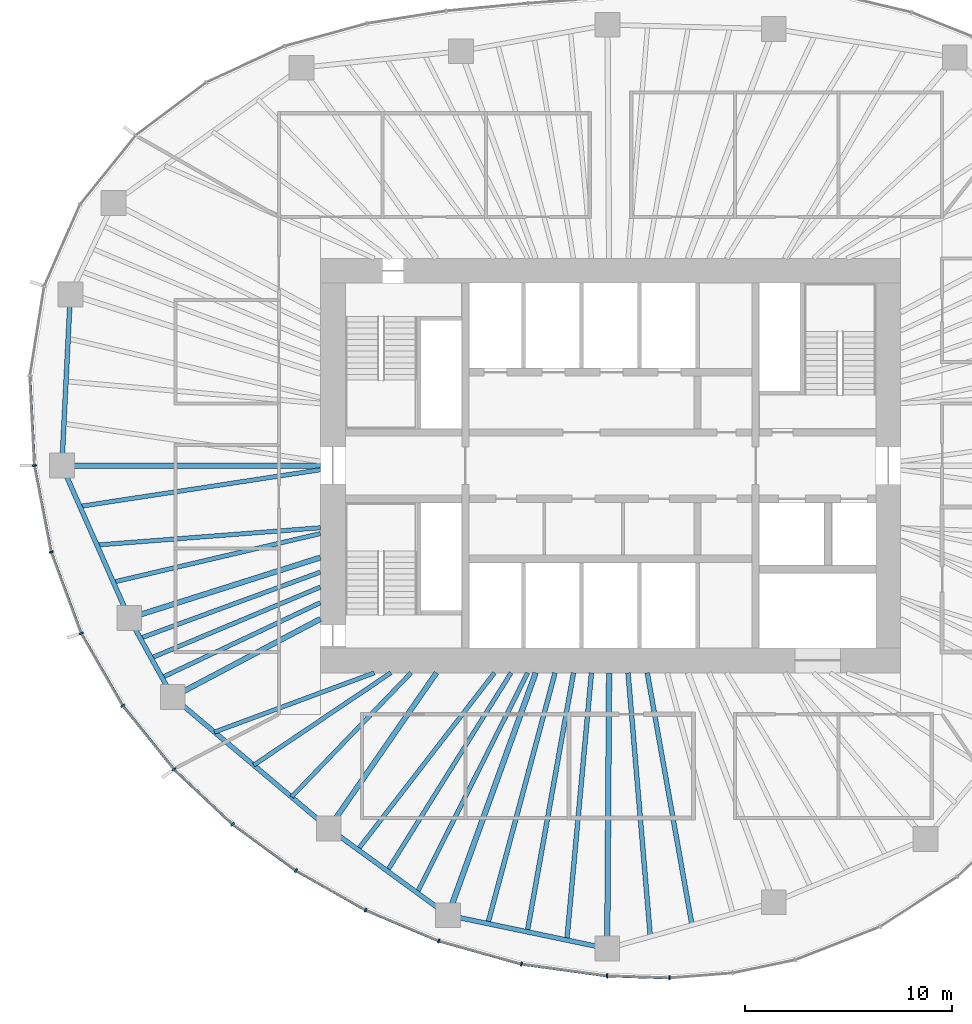
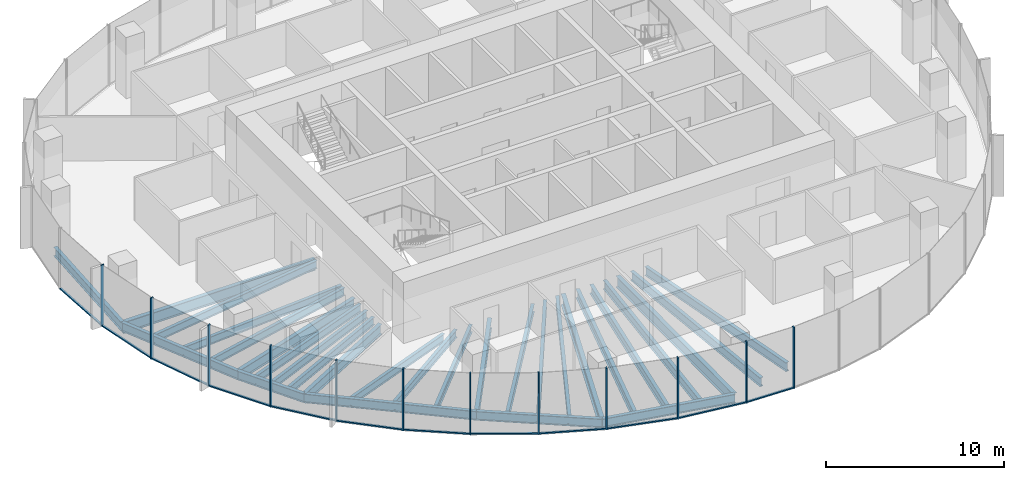
# One storey, part 2 of 12: 29 beams, 24 members, 7 elements without a shape of their own.
"""IFC4 building model written with IfcOpenShell, lengths in metres."""

from ifc_helpers import new_model, si_unit, direction, frame, origin, origin_2d, place, context, subcontext, project, spatial, rectangle, i_section, extrude, material, material_profile, profile_set, type_object, element, aggregate, save


model = new_model("IFC4")

# Units and contexts
model_context = context("Model", 3, precision=1e-05, world=origin(), true_north=direction((0.0, 1.0)))
body_context = subcontext(model_context, "Body", "Model", "MODEL_VIEW")
ifc_project = project(units=[si_unit("LENGTHUNIT", "METRE"), si_unit("AREAUNIT", "SQUARE_METRE"), si_unit("VOLUMEUNIT", "CUBIC_METRE"), si_unit("PLANEANGLEUNIT", "RADIAN"), si_unit("MASSUNIT", "GRAM", prefix="KILO")], contexts=[model_context])

# Site, building, storey
site_placement = place(None, origin())
site = spatial("IfcSite", under=ifc_project, at=site_placement, CompositionType="ELEMENT")
building_placement = place(site_placement, origin())
building = spatial("IfcBuilding", under=site, at=building_placement, Name="Ghaith Harvest Tower", CompositionType="ELEMENT")
storey_placement = place(building_placement, frame((0.0, 0.0, 249.39990234375)))
storey = spatial("IfcBuildingStorey", under=building, at=storey_placement, Name="L55", CompositionType="ELEMENT", Elevation=249.39990234375)

# Curtain wall, members
ifc_material_1 = material(Name="Black anodised aluminium and fritted glass", Category="aluminium")
curtain_wall_type = type_object("IfcCurtainWallType", Name="CW-H CURTAIN WALL", PredefinedType="NOTDEFINED", material=ifc_material_1)
curtain_wall_1_placement = place(storey_placement, origin())
curtain_wall_1 = element("IfcCurtainWall", 1, at=curtain_wall_1_placement, inside=storey, type_object=curtain_wall_type, Name="Curtain wall CW-H bay 11 L55", PredefinedType="NOTDEFINED")
ifc_material_2 = material(Name="Aluminium, black anodised", Category="aluminium")
ifc_material_profile_1 = material_profile(ifc_material_2, rectangle(XDim=0.080078125, YDim=0.199951171875, at=origin_2d()), Name="CW-H MULLION 80x200")
ifc_profile_set_1 = profile_set([ifc_material_profile_1], Name="Aluminium, black anodised")
member_type_1 = type_object("IfcMemberType", Name="CW-H MULLION 80x200", PredefinedType="MULLION", material=ifc_profile_set_1)
member_1_placement = place(storey_placement, frame((-27.794921875, 0.0, 0.0), z_axis=(0.0, 0.0, 1.0), x_axis=(0.12024996575, -0.992743645528, 0.0)))
member_1 = element("IfcMember", 2, at=member_1_placement, type_object=member_type_1, Name="CW-H mullion 1 bay 11 L55", PredefinedType="MULLION", context=body_context, shape_type="SweptSolid", body=[
    extrude(rectangle(XDim=0.080078125, YDim=0.199951171875, at=origin_2d()), origin(), (0.0, 0.0, 1.0), 4.2001953125),
])
member_2_placement = place(storey_placement, frame((-26.9853515625, -4.173828125, 0.0), z_axis=(0.0, 0.0, 1.0), x_axis=(0.268568830903, -0.963260495955, 0.0)))
member_2 = element("IfcMember", 3, at=member_2_placement, type_object=member_type_1, Name="CW-H mullion 2 bay 11 L55", PredefinedType="MULLION", context=body_context, shape_type="SweptSolid", body=[
    extrude(rectangle(XDim=0.080078125, YDim=0.199951171875, at=origin_2d()), origin(), (0.0, 0.0, 1.0), 4.2001953125),
])

curtain_wall_2_placement = place(storey_placement, origin())
curtain_wall_2 = element("IfcCurtainWall", 4, at=curtain_wall_2_placement, inside=storey, type_object=curtain_wall_type, Name="Curtain wall CW-H bay 12 L55", PredefinedType="NOTDEFINED")
member_3_placement = place(storey_placement, frame((-25.538330078125, -8.093505859375, 0.0), z_axis=(0.0, 0.0, 1.0), x_axis=(0.422308650185, -0.906452096903, 0.0)))
member_3 = element("IfcMember", 5, at=member_3_placement, type_object=member_type_1, Name="CW-H mullion 1 bay 12 L55", PredefinedType="MULLION", context=body_context, shape_type="SweptSolid", body=[
    extrude(rectangle(XDim=0.080078125, YDim=0.199951171875, at=origin_2d()), origin(), (0.0, 0.0, 1.0), 4.2001953125),
])
member_4_placement = place(storey_placement, frame((-23.533203125, -11.58349609375, 0.0), z_axis=(0.0, 0.0, 1.0), x_axis=(0.563616546013, -0.826036554312, 0.0)))
member_4 = element("IfcMember", 6, at=member_4_placement, type_object=member_type_1, Name="CW-H mullion 2 bay 12 L55", PredefinedType="MULLION", context=body_context, shape_type="SweptSolid", body=[
    extrude(rectangle(XDim=0.080078125, YDim=0.199951171875, at=origin_2d()), origin(), (0.0, 0.0, 1.0), 4.2001953125),
])

curtain_wall_3_placement = place(storey_placement, origin())
curtain_wall_3 = element("IfcCurtainWall", 7, at=curtain_wall_3_placement, inside=storey, type_object=curtain_wall_type, Name="Curtain wall CW-H bay 13 L55", PredefinedType="NOTDEFINED")
member_5_placement = place(storey_placement, frame((-21.0615234375, -14.65478515625, 0.0), z_axis=(0.0, 0.0, 1.0), x_axis=(0.679181589754, -0.733970277422, 0.0)))
member_5 = element("IfcMember", 8, at=member_5_placement, type_object=member_type_1, Name="CW-H mullion 1 bay 13 L55", PredefinedType="MULLION", context=body_context, shape_type="SweptSolid", body=[
    extrude(rectangle(XDim=0.080078125, YDim=0.199951171875, at=origin_2d()), origin(), (0.0, 0.0, 1.0), 4.2001953125),
])
member_6_placement = place(storey_placement, frame((-18.238037109375, -17.30615234375, 0.0), z_axis=(0.0, 0.0, 1.0), x_axis=(0.769216709506, -0.638987991919, 0.0)))
member_6 = element("IfcMember", 9, at=member_6_placement, type_object=member_type_1, Name="CW-H mullion 2 bay 13 L55", PredefinedType="MULLION", context=body_context, shape_type="SweptSolid", body=[
    extrude(rectangle(XDim=0.080078125, YDim=0.199951171875, at=origin_2d()), origin(), (0.0, 0.0, 1.0), 4.2001953125),
])

curtain_wall_4_placement = place(storey_placement, origin())
curtain_wall_4 = element("IfcCurtainWall", 10, at=curtain_wall_4_placement, inside=storey, type_object=curtain_wall_type, Name="Curtain wall CW-H bay 14 L55", PredefinedType="NOTDEFINED")
member_7_placement = place(storey_placement, frame((-15.177490234375, -19.542724609375, 0.0), z_axis=(0.0, 0.0, 1.0), x_axis=(0.840233591157, -0.5422245958, 0.0)))
member_7 = element("IfcMember", 11, at=member_7_placement, type_object=member_type_1, Name="CW-H mullion 1 bay 14 L55", PredefinedType="MULLION", context=body_context, shape_type="SweptSolid", body=[
    extrude(rectangle(XDim=0.080078125, YDim=0.199951171875, at=origin_2d()), origin(), (0.0, 0.0, 1.0), 4.2001953125),
])
member_8_placement = place(storey_placement, frame((-11.815185546875, -21.45068359375, 0.0), z_axis=(0.0, 0.0, 1.0), x_axis=(0.896852966189, -0.442328788389, 0.0)))
member_8 = element("IfcMember", 12, at=member_8_placement, type_object=member_type_1, Name="CW-H mullion 2 bay 14 L55", PredefinedType="MULLION", context=body_context, shape_type="SweptSolid", body=[
    extrude(rectangle(XDim=0.080078125, YDim=0.199951171875, at=origin_2d()), origin(), (0.0, 0.0, 1.0), 4.2001953125),
])

curtain_wall_5_placement = place(storey_placement, origin())
curtain_wall_5 = element("IfcCurtainWall", 13, at=curtain_wall_5_placement, inside=storey, type_object=curtain_wall_type, Name="Curtain wall CW-H bay 15 L55", PredefinedType="NOTDEFINED")
member_9_placement = place(storey_placement, frame((-8.285888671875, -22.941650390625, 0.0), z_axis=(0.0, 0.0, 1.0), x_axis=(0.944906041636, -0.327341675439, 0.0)))
member_9 = element("IfcMember", 14, at=member_9_placement, type_object=member_type_1, Name="CW-H mullion 1 bay 15 L55", PredefinedType="MULLION", context=body_context, shape_type="SweptSolid", body=[
    extrude(rectangle(XDim=0.080078125, YDim=0.199951171875, at=origin_2d()), origin(), (0.0, 0.0, 1.0), 4.2001953125),
])
member_10_placement = place(storey_placement, frame((-4.2958984375, -24.0556640625, 0.0), z_axis=(0.0, 0.0, 1.0), x_axis=(0.979161388311, -0.203083666601, 0.0)))
member_10 = element("IfcMember", 15, at=member_10_placement, type_object=member_type_1, Name="CW-H mullion 2 bay 15 L55", PredefinedType="MULLION", context=body_context, shape_type="SweptSolid", body=[
    extrude(rectangle(XDim=0.080078125, YDim=0.199951171875, at=origin_2d()), origin(), (0.0, 0.0, 1.0), 4.2001953125),
])

curtain_wall_6_placement = place(storey_placement, origin())
curtain_wall_6 = element("IfcCurtainWall", 16, at=curtain_wall_6_placement, inside=storey, type_object=curtain_wall_type, Name="Curtain wall CW-H bay 16 L55", PredefinedType="NOTDEFINED")
member_11_placement = place(storey_placement, frame((-0.16845703125, -24.625244140625, 0.0), z_axis=(0.0, 0.0, 1.0), x_axis=(0.99568459113, -0.092801912617, 0.0)))
member_11 = element("IfcMember", 17, at=member_11_placement, type_object=member_type_1, Name="CW-H mullion 1 bay 16 L55", PredefinedType="MULLION", context=body_context, shape_type="SweptSolid", body=[
    extrude(rectangle(XDim=0.080078125, YDim=0.199951171875, at=origin_2d()), origin(), (0.0, 0.0, 1.0), 4.2001953125),
])
member_12_placement = place(storey_placement, frame((2.84765625, -24.721435546875, 0.0), z_axis=(0.0, 0.0, 1.0), x_axis=(0.999724413906, 0.02347543907, 0.0)))
member_12 = element("IfcMember", 18, at=member_12_placement, type_object=member_type_1, Name="CW-H mullion 2 bay 16 L55", PredefinedType="MULLION", context=body_context, shape_type="SweptSolid", body=[
    extrude(rectangle(XDim=0.080078125, YDim=0.199951171875, at=origin_2d()), origin(), (0.0, 0.0, 1.0), 4.2001953125),
])

# Curtain wall, member
curtain_wall_7_placement = place(storey_placement, origin())
curtain_wall_7 = element("IfcCurtainWall", 19, at=curtain_wall_7_placement, inside=storey, type_object=curtain_wall_type, Name="Curtain wall CW-H bay 10 L55", PredefinedType="NOTDEFINED")
ifc_material_3 = material(Name="Aluminium, black anodised", Category="aluminium")
ifc_material_profile_2 = material_profile(ifc_material_3, rectangle(XDim=0.1298828125, YDim=0.080078125, at=origin_2d()), Name="CW-H TRANSOM 130x80")
ifc_profile_set_2 = profile_set([ifc_material_profile_2], Name="Aluminium, black anodised")
member_type_2 = type_object("IfcMemberType", Name="CW-H TRANSOM 130x80", PredefinedType="USERDEFINED", material=ifc_profile_set_2)
member_13_placement = place(storey_placement, frame((-28.013671875, 4.293212890625, 0.0400390625), z_axis=(0.05084969311, -0.998706317548, 0.0), x_axis=(0.998706317548, 0.05084969311, 0.0)))
member_13 = element("IfcMember", 20, at=member_13_placement, type_object=member_type_2, Name="CW-H transom 2 bay 10 L55", ObjectType="TRANSOM", PredefinedType="USERDEFINED", context=body_context, shape_type="SweptSolid", body=[
    extrude(rectangle(XDim=0.1298828125, YDim=0.080078125, at=origin_2d()), origin(), (0.0, 0.0, 1.0), 4.2587890625),
])
aggregate(curtain_wall_7, [member_13])

# Member
member_14_placement = place(storey_placement, frame((-27.787353515625, -0.039306640625, 0.0400390625), z_axis=(0.190440428338, -0.981698753821, 0.0), x_axis=(0.981698753821, 0.190440428338, 0.0)))
member_14 = element("IfcMember", 21, at=member_14_placement, type_object=member_type_2, Name="CW-H transom 1 bay 11 L55", ObjectType="TRANSOM", PredefinedType="USERDEFINED", context=body_context, shape_type="SweptSolid", body=[
    extrude(rectangle(XDim=0.1298828125, YDim=0.080078125, at=origin_2d()), origin(), (0.0, 0.0, 1.0), 4.171630859375),
])

member_15_placement = place(storey_placement, frame((-26.971435546875, -4.21142578125, 0.0400390625), z_axis=(0.346287782987, -0.93812833416, 0.0), x_axis=(0.93812833416, 0.346287782987, 0.0)))
member_15 = element("IfcMember", 22, at=member_15_placement, type_object=member_type_2, Name="CW-H transom 2 bay 11 L55", ObjectType="TRANSOM", PredefinedType="USERDEFINED", context=body_context, shape_type="SweptSolid", body=[
    extrude(rectangle(XDim=0.1298828125, YDim=0.080078125, at=origin_2d()), origin(), (0.0, 0.0, 1.0), 4.098388671875),
])

aggregate(curtain_wall_1, [member_1, member_14, member_2, member_15])

member_16_placement = place(storey_placement, frame((-25.5185546875, -8.128173828125, 0.0400390625), z_axis=(0.498176929488, -0.86707539864, 0.0), x_axis=(0.86707539864, 0.498176929488, 0.0)))
member_16 = element("IfcMember", 23, at=member_16_placement, type_object=member_type_2, Name="CW-H transom 1 bay 12 L55", ObjectType="TRANSOM", PredefinedType="USERDEFINED", context=body_context, shape_type="SweptSolid", body=[
    extrude(rectangle(XDim=0.1298828125, YDim=0.080078125, at=origin_2d()), origin(), (0.0, 0.0, 1.0), 3.945068359375),
])

member_17_placement = place(storey_placement, frame((-23.508056640625, -11.61474609375, 0.0400390625), z_axis=(0.626958878139, -0.779052350694, 0.0), x_axis=(0.779052350694, 0.626958878139, 0.0)))
member_17 = element("IfcMember", 24, at=member_17_placement, type_object=member_type_2, Name="CW-H transom 2 bay 12 L55", ObjectType="TRANSOM", PredefinedType="USERDEFINED", context=body_context, shape_type="SweptSolid", body=[
    extrude(rectangle(XDim=0.1298828125, YDim=0.080078125, at=origin_2d()), origin(), (0.0, 0.0, 1.0), 3.862060546875),
])

aggregate(curtain_wall_2, [member_3, member_16, member_4, member_17])

member_18_placement = place(storey_placement, frame((-21.032470703125, -14.68212890625, 0.0400390625), z_axis=(0.729025183709, -0.684486874613, 0.0), x_axis=(0.684486874613, 0.729025183709, 0.0)))
member_18 = element("IfcMember", 25, at=member_18_placement, type_object=member_type_2, Name="CW-H transom 1 bay 13 L55", ObjectType="TRANSOM", PredefinedType="USERDEFINED", context=body_context, shape_type="SweptSolid", body=[
    extrude(rectangle(XDim=0.1298828125, YDim=0.080078125, at=origin_2d()), origin(), (0.0, 0.0, 1.0), 3.793212890625),
])

member_19_placement = place(storey_placement, frame((-18.20556640625, -17.32958984375, 0.0400390625), z_axis=(0.807368217185, -0.590047931849, 0.0), x_axis=(0.590047931849, 0.807368217185, 0.0)))
member_19 = element("IfcMember", 26, at=member_19_placement, type_object=member_type_2, Name="CW-H transom 2 bay 13 L55", ObjectType="TRANSOM", PredefinedType="USERDEFINED", context=body_context, shape_type="SweptSolid", body=[
    extrude(rectangle(XDim=0.1298828125, YDim=0.080078125, at=origin_2d()), origin(), (0.0, 0.0, 1.0), 3.710693359375),
])

aggregate(curtain_wall_3, [member_5, member_18, member_6, member_19])

member_20_placement = place(storey_placement, frame((-15.142822265625, -19.5625, 0.0400390625), z_axis=(0.869735291487, -0.493518513068, 0.0), x_axis=(0.493518513068, 0.869735291487, 0.0)))
member_20 = element("IfcMember", 27, at=member_20_placement, type_object=member_type_2, Name="CW-H transom 1 bay 14 L55", ObjectType="TRANSOM", PredefinedType="USERDEFINED", context=body_context, shape_type="SweptSolid", body=[
    extrude(rectangle(XDim=0.1298828125, YDim=0.080078125, at=origin_2d()), origin(), (0.0, 0.0, 1.0), 3.785888671875),
])

member_21_placement = place(storey_placement, frame((-11.7783203125, -21.46630859375, 0.0400390625), z_axis=(0.921182691948, -0.38913037411, 0.0), x_axis=(0.38913037411, 0.921182691948, 0.0)))
member_21 = element("IfcMember", 28, at=member_21_placement, type_object=member_type_2, Name="CW-H transom 2 bay 14 L55", ObjectType="TRANSOM", PredefinedType="USERDEFINED", context=body_context, shape_type="SweptSolid", body=[
    extrude(rectangle(XDim=0.1298828125, YDim=0.080078125, at=origin_2d()), origin(), (0.0, 0.0, 1.0), 3.751220703125),
])

aggregate(curtain_wall_4, [member_7, member_20, member_8, member_21])

member_22_placement = place(storey_placement, frame((-8.24755859375, -22.952392578125, 0.0400390625), z_axis=(0.963164092269, -0.268914356932, 0.0), x_axis=(0.268914356932, 0.963164092269, 0.0)))
member_22 = element("IfcMember", 29, at=member_22_placement, type_object=member_type_2, Name="CW-H transom 1 bay 15 L55", ObjectType="TRANSOM", PredefinedType="USERDEFINED", context=body_context, shape_type="SweptSolid", body=[
    extrude(rectangle(XDim=0.1298828125, YDim=0.080078125, at=origin_2d()), origin(), (0.0, 0.0, 1.0), 4.062744140625),
])

member_23_placement = place(storey_placement, frame((-4.25634765625, -24.06103515625, 0.0400390625), z_axis=(0.990605228149, -0.136752630555, 0.0), x_axis=(0.136752630555, 0.990605228149, 0.0)))
member_23 = element("IfcMember", 30, at=member_23_placement, type_object=member_type_2, Name="CW-H transom 2 bay 15 L55", ObjectType="TRANSOM", PredefinedType="USERDEFINED", context=body_context, shape_type="SweptSolid", body=[
    extrude(rectangle(XDim=0.1298828125, YDim=0.080078125, at=origin_2d()), origin(), (0.0, 0.0, 1.0), 4.08642578125),
])

aggregate(curtain_wall_5, [member_9, member_22, member_10, member_23])

member_24_placement = place(storey_placement, frame((-0.128662109375, -24.62646484375, 0.0400390625), z_axis=(0.999490770233, -0.031909249731, 0.0), x_axis=(0.031909249731, 0.999490770233, 0.0)))
member_24 = element("IfcMember", 31, at=member_24_placement, type_object=member_type_2, Name="CW-H transom 1 bay 16 L55", ObjectType="TRANSOM", PredefinedType="USERDEFINED", context=body_context, shape_type="SweptSolid", body=[
    extrude(rectangle(XDim=0.1298828125, YDim=0.080078125, at=origin_2d()), origin(), (0.0, 0.0, 1.0), 2.93798828125),
])

aggregate(curtain_wall_6, [member_11, member_24, member_12])

# Beams
ifc_material_4 = material(Name="Steel ASTM A992 Grade 50", Category="steel")
ifc_material_profile_3 = material_profile(ifc_material_4, i_section(OverallWidth=0.22900390625, OverallDepth=0.612060546875, WebThickness=0.011962890625, FlangeThickness=0.01953125, at=origin_2d()), Name="W610X125")
ifc_profile_set_3 = profile_set([ifc_material_profile_3], Name="Steel ASTM A992 Grade 50")
beam_type_1 = type_object("IfcBeamType", Name="E610-125 W610X125", PredefinedType="SPANDREL", material=ifc_profile_set_3)
beam_1_placement = place(storey_placement, frame((-26.06689453125, 8.260986328125, -0.475830078125), z_axis=(-0.049353148492, -0.998781390863, 0.0), x_axis=(0.998781390863, -0.049353148492, 0.0)))
element("IfcBeam", 32, at=beam_1_placement, inside=storey, type_object=beam_type_1, Name="Edge beam E10 L55", PredefinedType="SPANDREL", context=body_context, shape_type="SweptSolid", body=[
    extrude(i_section(OverallWidth=0.22900390625, OverallDepth=0.612060546875, WebThickness=0.011962890625, FlangeThickness=0.01953125, at=origin_2d()), origin(), (0.0, 0.0, 1.0), 8.27099609375),
])
beam_2_placement = place(storey_placement, frame((-26.47509765625, 0.0, -0.475830078125), z_axis=(0.404042817399, -0.914740073304, 0.0), x_axis=(0.914740073304, 0.404042817399, 0.0)))
element("IfcBeam", 33, at=beam_2_placement, inside=storey, type_object=beam_type_1, Name="Edge beam E11 L55", PredefinedType="SPANDREL", context=body_context, shape_type="SweptSolid", body=[
    extrude(i_section(OverallWidth=0.22900390625, OverallDepth=0.612060546875, WebThickness=0.011962890625, FlangeThickness=0.01953125, at=origin_2d()), origin(), (0.0, 0.0, 1.0), 8.046142578125),
])
beam_3_placement = place(storey_placement, frame((-23.22412109375, -7.360107421875, -0.475830078125), z_axis=(0.482955575345, -0.875644855089, 0.0), x_axis=(0.875644855089, 0.482955575345, 0.0)))
element("IfcBeam", 34, at=beam_3_placement, inside=storey, type_object=beam_type_1, Name="Edge beam E12 L55", PredefinedType="SPANDREL", context=body_context, shape_type="SweptSolid", body=[
    extrude(i_section(OverallWidth=0.22900390625, OverallDepth=0.612060546875, WebThickness=0.011962890625, FlangeThickness=0.01953125, at=origin_2d()), origin(), (0.0, 0.0, 1.0), 4.346435546875),
])
beam_4_placement = place(storey_placement, frame((-21.125, -11.166015625, -0.475830078125), z_axis=(0.765021818761, -0.64400436087, 0.0), x_axis=(0.64400436087, 0.765021818761, 0.0)))
element("IfcBeam", 35, at=beam_4_placement, inside=storey, type_object=beam_type_1, Name="Edge beam E13 L55", PredefinedType="SPANDREL", context=body_context, shape_type="SweptSolid", body=[
    extrude(i_section(OverallWidth=0.22900390625, OverallDepth=0.612060546875, WebThickness=0.011962890625, FlangeThickness=0.01953125, at=origin_2d()), origin(), (0.0, 0.0, 1.0), 9.8427734375),
])
beam_5_placement = place(storey_placement, frame((-13.594970703125, -17.5048828125, -0.475830078125), z_axis=(0.808194782503, -0.588915268553, 0.0), x_axis=(0.588915268553, 0.808194782503, 0.0)))
element("IfcBeam", 36, at=beam_5_placement, inside=storey, type_object=beam_type_1, Name="Edge beam E14 L55", PredefinedType="SPANDREL", context=body_context, shape_type="SweptSolid", body=[
    extrude(i_section(OverallWidth=0.22900390625, OverallDepth=0.612060546875, WebThickness=0.011962890625, FlangeThickness=0.01953125, at=origin_2d()), origin(), (0.0, 0.0, 1.0), 7.123291015625),
])
beam_6_placement = place(storey_placement, frame((-7.837890625, -21.699951171875, -0.475830078125), z_axis=(0.978847910797, -0.20458926543, 0.0), x_axis=(0.20458926543, 0.978847910797, 0.0)))
element("IfcBeam", 37, at=beam_6_placement, inside=storey, type_object=beam_type_1, Name="Edge beam E15 L55", PredefinedType="SPANDREL", context=body_context, shape_type="SweptSolid", body=[
    extrude(i_section(OverallWidth=0.22900390625, OverallDepth=0.612060546875, WebThickness=0.011962890625, FlangeThickness=0.01953125, at=origin_2d()), origin(), (0.0, 0.0, 1.0), 7.844970703125),
])
ifc_material_5 = material(Name="Steel ASTM A992 Grade 50", Category="steel")
ifc_material_profile_4 = material_profile(ifc_material_5, i_section(OverallWidth=0.256103515625, OverallDepth=0.693115234375, WebThickness=0.014404296875, FlangeThickness=0.023681640625, at=origin_2d()), Name="W690X170")
ifc_profile_set_4 = profile_set([ifc_material_profile_4], Name="Steel ASTM A992 Grade 50")
beam_type_2 = type_object("IfcBeamType", Name="G690-170 W690X170", PredefinedType="BEAM", material=ifc_profile_set_4)
beam_7_placement = place(storey_placement, frame((-14.0, -4.43701171875, -0.516357421875), z_axis=(-0.953279028151, -0.302091202267, 0.0), x_axis=(0.302091202267, -0.953279028151, 0.0)))
element("IfcBeam", 38, at=beam_7_placement, inside=storey, type_object=beam_type_2, Name="Radial girder G12 L55", PredefinedType="BEAM", context=body_context, shape_type="SweptSolid", body=[
    extrude(i_section(OverallWidth=0.256103515625, OverallDepth=0.693115234375, WebThickness=0.014404296875, FlangeThickness=0.023681640625, at=origin_2d()), origin(), (0.0, 0.0, 1.0), 9.67626953125),
])
beam_8_placement = place(storey_placement, frame((-14.0, -7.39990234375, -0.516357421875), z_axis=(-0.88409279474, -0.46731138472, 0.0), x_axis=(0.46731138472, -0.88409279474, 0.0)))
element("IfcBeam", 39, at=beam_8_placement, inside=storey, type_object=beam_type_2, Name="Radial girder G13 L55", PredefinedType="BEAM", context=body_context, shape_type="SweptSolid", body=[
    extrude(i_section(OverallWidth=0.256103515625, OverallDepth=0.693115234375, WebThickness=0.014404296875, FlangeThickness=0.023681640625, at=origin_2d()), origin(), (0.0, 0.0, 1.0), 8.05908203125),
])
beam_9_placement = place(storey_placement, frame((-8.39990234375, -10.0, -0.516357421875), z_axis=(-0.569164078909, -0.822223966617, 0.0), x_axis=(0.822223966617, -0.569164078909, 0.0)))
element("IfcBeam", 40, at=beam_9_placement, inside=storey, type_object=beam_type_2, Name="Radial girder G14 L55", PredefinedType="BEAM", context=body_context, shape_type="SweptSolid", body=[
    extrude(i_section(OverallWidth=0.256103515625, OverallDepth=0.693115234375, WebThickness=0.014404296875, FlangeThickness=0.023681640625, at=origin_2d()), origin(), (0.0, 0.0, 1.0), 9.12744140625),
])
ifc_material_6 = material(Name="Steel ASTM A992 Grade 50", Category="steel")
ifc_material_profile_5 = material_profile(ifc_material_6, i_section(OverallWidth=0.26806640625, OverallDepth=0.77001953125, WebThickness=0.015625, FlangeThickness=0.025390625, at=origin_2d()), Name="W760X196")
ifc_profile_set_5 = profile_set([ifc_material_profile_5], Name="Steel ASTM A992 Grade 50")
beam_type_3 = type_object("IfcBeamType", Name="G760-196 W760X196", PredefinedType="BEAM", material=ifc_profile_set_5)
beam_10_placement = place(storey_placement, frame((-14.0, 0.0, -0.554931640625), z_axis=(-1.0, 0.0, 0.0), x_axis=(0.0, -1.0, 0.0)))
element("IfcBeam", 41, at=beam_10_placement, inside=storey, type_object=beam_type_3, Name="Radial girder G11 L55", PredefinedType="BEAM", context=body_context, shape_type="SweptSolid", body=[
    extrude(i_section(OverallWidth=0.26806640625, OverallDepth=0.77001953125, WebThickness=0.015625, FlangeThickness=0.025390625, at=origin_2d()), origin(), (0.0, 0.0, 1.0), 12.47509765625),
])
beam_11_placement = place(storey_placement, frame((-3.61181640625, -10.0, -0.554931640625), z_axis=(-0.339722108335, -0.940525857756, 0.0), x_axis=(0.940525857756, -0.339722108335, 0.0)))
element("IfcBeam", 42, at=beam_11_placement, inside=storey, type_object=beam_type_3, Name="Radial girder G15 L55", PredefinedType="BEAM", context=body_context, shape_type="SweptSolid", body=[
    extrude(i_section(OverallWidth=0.26806640625, OverallDepth=0.77001953125, WebThickness=0.015625, FlangeThickness=0.025390625, at=origin_2d()), origin(), (0.0, 0.0, 1.0), 12.439697265625),
])
beam_12_placement = place(storey_placement, frame((-0.068359375, -10.0, -0.554931640625), z_axis=(-0.00680755644, -0.999976828319, 0.0), x_axis=(0.999976828319, -0.00680755644, 0.0)))
element("IfcBeam", 43, at=beam_12_placement, inside=storey, type_object=beam_type_3, Name="Radial girder G16 L55", PredefinedType="BEAM", context=body_context, shape_type="SweptSolid", body=[
    extrude(i_section(OverallWidth=0.26806640625, OverallDepth=0.77001953125, WebThickness=0.015625, FlangeThickness=0.025390625, at=origin_2d()), origin(), (0.0, 0.0, 1.0), 13.30517578125),
])
ifc_material_7 = material(Name="Steel ASTM A992 Grade 50", Category="steel")
ifc_material_profile_6 = material_profile(ifc_material_7, i_section(OverallWidth=0.2109375, OverallDepth=0.5390625, WebThickness=0.01171875, FlangeThickness=0.018798828125, at=origin_2d()), Name="W530X109")
ifc_profile_set_6 = profile_set([ifc_material_profile_6], Name="Steel ASTM A992 Grade 50")
beam_type_4 = type_object("IfcBeamType", Name="J530-109 W530X109", PredefinedType="JOIST", material=ifc_profile_set_6)
beam_13_placement = place(storey_placement, frame((-14.0, -0.199951171875, -0.439453125), z_axis=(-0.988587077715, -0.150650555178, 0.0), x_axis=(0.150650555178, -0.988587077715, 0.0)))
element("IfcBeam", 44, at=beam_13_placement, inside=storey, type_object=beam_type_4, Name="Joist J11.1 L55", PredefinedType="JOIST", context=body_context, shape_type="SweptSolid", body=[
    extrude(i_section(OverallWidth=0.2109375, OverallDepth=0.5390625, WebThickness=0.01171875, FlangeThickness=0.018798828125, at=origin_2d()), origin(), (0.0, 0.0, 1.0), 11.739501953125),
])
beam_14_placement = place(storey_placement, frame((-14.0, -3.0, -0.439453125), z_axis=(-0.997028799301, -0.077029691443, 0.0), x_axis=(0.077029691443, -0.997028799301, 0.0)))
element("IfcBeam", 45, at=beam_14_placement, inside=storey, type_object=beam_type_4, Name="Joist J11.2 L55", PredefinedType="JOIST", context=body_context, shape_type="SweptSolid", body=[
    extrude(i_section(OverallWidth=0.2109375, OverallDepth=0.5390625, WebThickness=0.01171875, FlangeThickness=0.018798828125, at=origin_2d()), origin(), (0.0, 0.0, 1.0), 10.814208984375),
])
beam_15_placement = place(storey_placement, frame((-14.0, -3.280517578125, -0.439453125), z_axis=(-0.97362176086, -0.22816806696, 0.0), x_axis=(0.22816806696, -0.97362176086, 0.0)))
element("IfcBeam", 46, at=beam_15_placement, inside=storey, type_object=beam_type_4, Name="Joist J11.3 L55", PredefinedType="JOIST", context=body_context, shape_type="SweptSolid", body=[
    extrude(i_section(OverallWidth=0.2109375, OverallDepth=0.5390625, WebThickness=0.01171875, FlangeThickness=0.018798828125, at=origin_2d()), origin(), (0.0, 0.0, 1.0), 10.262451171875),
])
beam_16_placement = place(storey_placement, frame((-5.60009765625, -10.0, -0.439453125), z_axis=(-0.611412687895, -0.791311901264, 0.0), x_axis=(0.791311901264, -0.611412687895, 0.0)))
element("IfcBeam", 47, at=beam_16_placement, inside=storey, type_object=beam_type_4, Name="Joist J14.1 L55", PredefinedType="JOIST", context=body_context, shape_type="SweptSolid", body=[
    extrude(i_section(OverallWidth=0.2109375, OverallDepth=0.5390625, WebThickness=0.01171875, FlangeThickness=0.018798828125, at=origin_2d()), origin(), (0.0, 0.0, 1.0), 10.778076171875),
])
beam_17_placement = place(storey_placement, frame((-4.800048828125, -10.0, -0.439453125), z_axis=(-0.529921073682, -0.848046965484, 0.0), x_axis=(0.848046965484, -0.529921073682, 0.0)))
element("IfcBeam", 48, at=beam_17_placement, inside=storey, type_object=beam_type_4, Name="Joist J14.2 L55", PredefinedType="JOIST", context=body_context, shape_type="SweptSolid", body=[
    extrude(i_section(OverallWidth=0.2109375, OverallDepth=0.5390625, WebThickness=0.01171875, FlangeThickness=0.018798828125, at=origin_2d()), origin(), (0.0, 0.0, 1.0), 11.273681640625),
])
beam_18_placement = place(storey_placement, frame((-4.0, -10.0, -0.439453125), z_axis=(-0.448791718068, -0.893636387908, 0.0), x_axis=(0.893636387908, -0.448791718068, 0.0)))
element("IfcBeam", 49, at=beam_18_placement, inside=storey, type_object=beam_type_4, Name="Joist J14.3 L55", PredefinedType="JOIST", context=body_context, shape_type="SweptSolid", body=[
    extrude(i_section(OverallWidth=0.2109375, OverallDepth=0.5390625, WebThickness=0.01171875, FlangeThickness=0.018798828125, at=origin_2d()), origin(), (0.0, 0.0, 1.0), 11.8759765625),
])
ifc_material_8 = material(Name="Steel ASTM A992 Grade 50", Category="steel")
ifc_material_profile_7 = material_profile(ifc_material_8, i_section(OverallWidth=0.208984375, OverallDepth=0.532958984375, WebThickness=0.01025390625, FlangeThickness=0.015625, at=origin_2d()), Name="W530X92")
ifc_profile_set_7 = profile_set([ifc_material_profile_7], Name="Steel ASTM A992 Grade 50")
beam_type_5 = type_object("IfcBeamType", Name="J530-92 W530X92", PredefinedType="JOIST", material=ifc_profile_set_7)
beam_19_placement = place(storey_placement, frame((-14.0, -5.137939453125, -0.4365234375), z_axis=(-0.93877284801, -0.34453670318, 0.0), x_axis=(0.34453670318, -0.93877284801, 0.0)))
element("IfcBeam", 50, at=beam_19_placement, inside=storey, type_object=beam_type_5, Name="Joist J12.1 L55", PredefinedType="JOIST", context=body_context, shape_type="SweptSolid", body=[
    extrude(i_section(OverallWidth=0.208984375, OverallDepth=0.532958984375, WebThickness=0.01025390625, FlangeThickness=0.015625, at=origin_2d()), origin(), (0.0, 0.0, 1.0), 9.25732421875),
])
beam_20_placement = place(storey_placement, frame((-14.0, -5.862548828125, -0.4365234375), z_axis=(-0.922387515293, -0.386265804377, 0.0), x_axis=(0.386265804377, -0.922387515293, 0.0)))
element("IfcBeam", 51, at=beam_20_placement, inside=storey, type_object=beam_type_5, Name="Joist J12.2 L55", PredefinedType="JOIST", context=body_context, shape_type="SweptSolid", body=[
    extrude(i_section(OverallWidth=0.208984375, OverallDepth=0.532958984375, WebThickness=0.01025390625, FlangeThickness=0.015625, at=origin_2d()), origin(), (0.0, 0.0, 1.0), 8.851318359375),
])
beam_21_placement = place(storey_placement, frame((-14.0, -6.614990234375, -0.4365234375), z_axis=(-0.90415786724, -0.427198491462, 0.0), x_axis=(0.427198491462, -0.90415786724, 0.0)))
element("IfcBeam", 52, at=beam_21_placement, inside=storey, type_object=beam_type_5, Name="Joist J12.3 L55", PredefinedType="JOIST", context=body_context, shape_type="SweptSolid", body=[
    extrude(i_section(OverallWidth=0.208984375, OverallDepth=0.532958984375, WebThickness=0.01025390625, FlangeThickness=0.015625, at=origin_2d()), origin(), (0.0, 0.0, 1.0), 8.45361328125),
])
beam_22_placement = place(storey_placement, frame((-11.39990234375, -10.0, -0.4365234375), z_axis=(-0.937594001899, -0.34773191916, 0.0), x_axis=(0.34773191916, -0.937594001899, 0.0)))
element("IfcBeam", 53, at=beam_22_placement, inside=storey, type_object=beam_type_5, Name="Joist J13.1 L55", PredefinedType="JOIST", context=body_context, shape_type="SweptSolid", body=[
    extrude(i_section(OverallWidth=0.208984375, OverallDepth=0.532958984375, WebThickness=0.01025390625, FlangeThickness=0.015625, at=origin_2d()), origin(), (0.0, 0.0, 1.0), 8.225830078125),
])
beam_23_placement = place(storey_placement, frame((-10.60009765625, -10.0, -0.4365234375), z_axis=(-0.829594017544, -0.55836705316, 0.0), x_axis=(0.55836705316, -0.829594017544, 0.0)))
element("IfcBeam", 54, at=beam_23_placement, inside=storey, type_object=beam_type_5, Name="Joist J13.2 L55", PredefinedType="JOIST", context=body_context, shape_type="SweptSolid", body=[
    extrude(i_section(OverallWidth=0.208984375, OverallDepth=0.532958984375, WebThickness=0.01025390625, FlangeThickness=0.015625, at=origin_2d()), origin(), (0.0, 0.0, 1.0), 7.977783203125),
])
beam_24_placement = place(storey_placement, frame((-9.626708984375, -10.0, -0.4365234375), z_axis=(-0.693546892509, -0.720411485119, 0.0), x_axis=(0.720411485119, -0.693546892509, 0.0)))
element("IfcBeam", 55, at=beam_24_placement, inside=storey, type_object=beam_type_5, Name="Joist J13.3 L55", PredefinedType="JOIST", context=body_context, shape_type="SweptSolid", body=[
    extrude(i_section(OverallWidth=0.208984375, OverallDepth=0.532958984375, WebThickness=0.01025390625, FlangeThickness=0.015625, at=origin_2d()), origin(), (0.0, 0.0, 1.0), 8.3154296875),
])
ifc_material_9 = material(Name="Steel ASTM A992 Grade 50", Category="steel")
ifc_material_profile_8 = material_profile(ifc_material_9, i_section(OverallWidth=0.22900390625, OverallDepth=0.612060546875, WebThickness=0.011962890625, FlangeThickness=0.01953125, at=origin_2d()), Name="W610X125")
ifc_profile_set_8 = profile_set([ifc_material_profile_8], Name="Steel ASTM A992 Grade 50")
beam_type_6 = type_object("IfcBeamType", Name="J610-125 W610X125", PredefinedType="JOIST", material=ifc_profile_set_8)
beam_25_placement = place(storey_placement, frame((-2.677978515625, -10.0, -0.475830078125), z_axis=(-0.258683807585, -0.965962052926, 0.0), x_axis=(0.965962052926, -0.258683807585, 0.0)))
element("IfcBeam", 56, at=beam_25_placement, inside=storey, type_object=beam_type_6, Name="Joist J15.1 L55", PredefinedType="JOIST", context=body_context, shape_type="SweptSolid", body=[
    extrude(i_section(OverallWidth=0.22900390625, OverallDepth=0.612060546875, WebThickness=0.011962890625, FlangeThickness=0.01953125, at=origin_2d()), origin(), (0.0, 0.0, 1.0), 12.52783203125),
])
beam_26_placement = place(storey_placement, frame((-1.785888671875, -10.0, -0.475830078125), z_axis=(-0.17579463172, -0.984426862422, 0.0), x_axis=(0.984426862422, -0.17579463172, 0.0)))
element("IfcBeam", 57, at=beam_26_placement, inside=storey, type_object=beam_type_6, Name="Joist J15.2 L55", PredefinedType="JOIST", context=body_context, shape_type="SweptSolid", body=[
    extrude(i_section(OverallWidth=0.22900390625, OverallDepth=0.612060546875, WebThickness=0.011962890625, FlangeThickness=0.01953125, at=origin_2d()), origin(), (0.0, 0.0, 1.0), 12.6962890625),
])
beam_27_placement = place(storey_placement, frame((-0.92041015625, -10.0, -0.475830078125), z_axis=(-0.091645483251, -0.995791697796, 0.0), x_axis=(0.995791697796, -0.091645483251, 0.0)))
element("IfcBeam", 58, at=beam_27_placement, inside=storey, type_object=beam_type_6, Name="Joist J15.3 L55", PredefinedType="JOIST", context=body_context, shape_type="SweptSolid", body=[
    extrude(i_section(OverallWidth=0.22900390625, OverallDepth=0.612060546875, WebThickness=0.011962890625, FlangeThickness=0.01953125, at=origin_2d()), origin(), (0.0, 0.0, 1.0), 12.9521484375),
])
beam_28_placement = place(storey_placement, frame((0.844970703125, -10.0, -0.475830078125), z_axis=(0.084217590158, -0.996447388229, 0.0), x_axis=(0.996447388229, 0.084217590158, 0.0)))
element("IfcBeam", 59, at=beam_28_placement, inside=storey, type_object=beam_type_6, Name="Joist J16.1 L55", PredefinedType="JOIST", context=body_context, shape_type="SweptSolid", body=[
    extrude(i_section(OverallWidth=0.22900390625, OverallDepth=0.612060546875, WebThickness=0.011962890625, FlangeThickness=0.01953125, at=origin_2d()), origin(), (0.0, 0.0, 1.0), 12.772705078125),
])
beam_29_placement = place(storey_placement, frame((1.772705078125, -10.0, -0.475830078125), z_axis=(0.174551600477, -0.984648027861, 0.0), x_axis=(0.984648027861, 0.174551600477, 0.0)))
element("IfcBeam", 60, at=beam_29_placement, inside=storey, type_object=beam_type_6, Name="Joist J16.2 L55", PredefinedType="JOIST", context=body_context, shape_type="SweptSolid", body=[
    extrude(i_section(OverallWidth=0.22900390625, OverallDepth=0.612060546875, WebThickness=0.011962890625, FlangeThickness=0.01953125, at=origin_2d()), origin(), (0.0, 0.0, 1.0), 12.358642578125),
])

save(model, "model.ifc")
